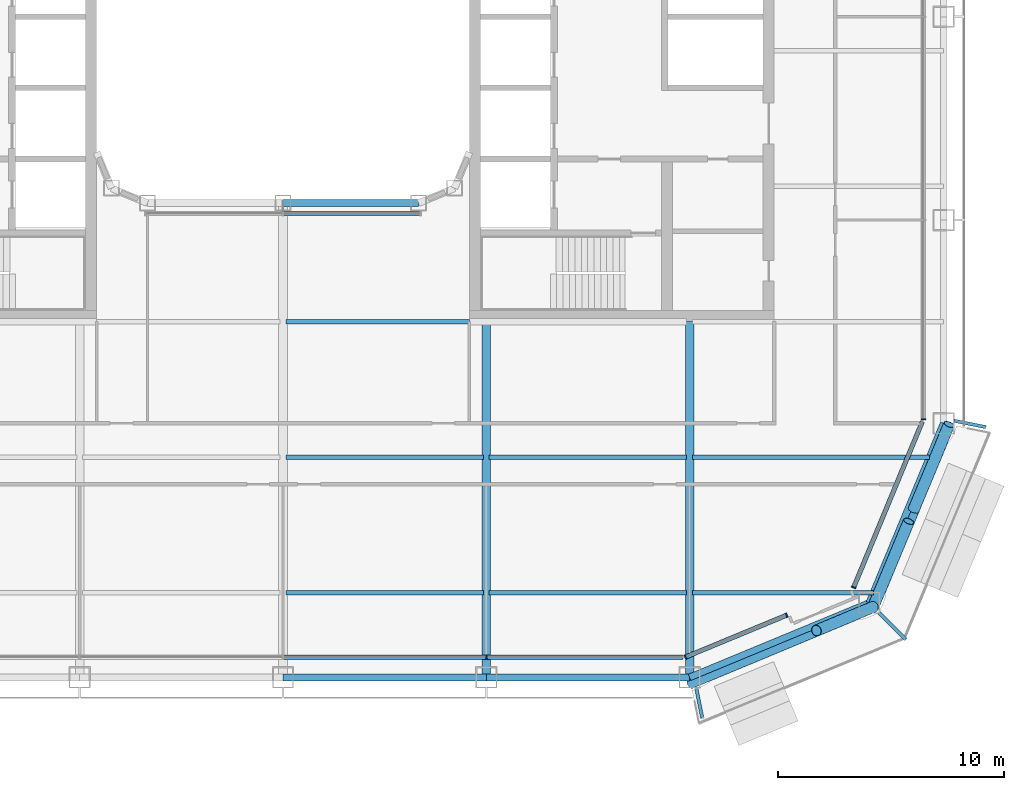
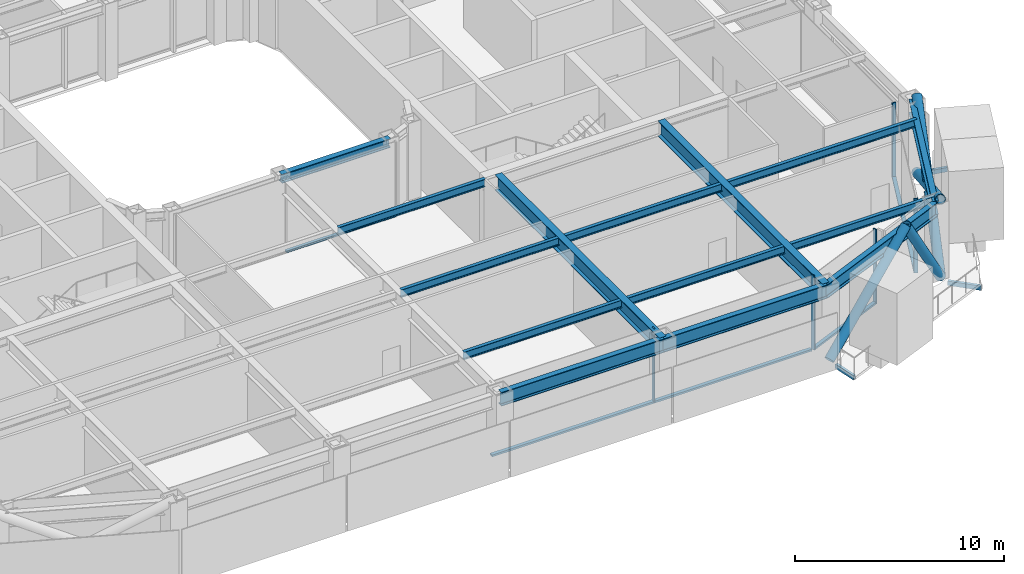
# One storey, part 4 of 23: 17 beams, 15 members, 5 elements without a shape of their own.
"""IFC4 building model written with IfcOpenShell, lengths in metres."""

from ifc_helpers import new_model, si_unit, direction, frame, origin, origin_2d, place, context, subcontext, project, spatial, rectangle, hollow_rectangle, hollow_circle, i_section, extrude, material, layer, layer_set, material_profile, profile_set, type_object, element, aggregate, save


model = new_model("IFC4")

# Units and contexts
model_context = context("Model", 3, precision=1e-05, world=origin(), true_north=direction((0.0, 1.0)))
body_context = subcontext(model_context, "Body", "Model", "MODEL_VIEW")
ifc_project = project(units=[si_unit("LENGTHUNIT", "METRE"), si_unit("AREAUNIT", "SQUARE_METRE"), si_unit("VOLUMEUNIT", "CUBIC_METRE"), si_unit("PLANEANGLEUNIT", "RADIAN"), si_unit("MASSUNIT", "GRAM", prefix="KILO")], contexts=[model_context])

# Site, building, storey
site_placement = place(None, origin())
site = spatial("IfcSite", under=ifc_project, at=site_placement, CompositionType="ELEMENT")
building_placement = place(site_placement, origin())
building = spatial("IfcBuilding", under=site, at=building_placement, Name="Siwar Civic Tower", CompositionType="ELEMENT")
storey_placement = place(building_placement, frame((0.0, 0.0, 127.199951171875)))
storey = spatial("IfcBuildingStorey", under=building, at=storey_placement, Name="L27", CompositionType="ELEMENT", Elevation=127.199951171875)

# Beams
ifc_material_1 = material(Name="Steel S355", Category="steel")
ifc_material_profile_1 = material_profile(ifc_material_1, hollow_rectangle(XDim=0.14990234375, YDim=0.25, WallThickness=0.010009765625, at=origin_2d()), Name="RHS250x150x10")
ifc_profile_set_1 = profile_set([ifc_material_profile_1], Name="Steel S355")
beam_type_1 = type_object("IfcBeamType", Name="ENV-BALCONY ARM", PredefinedType="BEAM", material=ifc_profile_set_1)
beam_1_placement = place(storey_placement, frame((18.30029296875, -29.73486328125, -0.27490234375), z_axis=(0.195189223115, -0.980765602568, 0.0), x_axis=(0.980765602568, 0.195189223115, 0.0)))
element("IfcBeam", 1, at=beam_1_placement, inside=storey, type_object=beam_type_1, Name="Balcony cantilever beam SE 1", PredefinedType="BEAM", context=body_context, shape_type="SweptSolid", body=[
    extrude(hollow_rectangle(XDim=0.14990234375, YDim=0.25, WallThickness=0.010009765625, at=origin_2d()), origin(), (0.0, 0.0, 1.0), 1.317138671875),
])
beam_2_placement = place(storey_placement, frame((26.39453125, -26.39453125, -0.27490234375), z_axis=(0.707106781187, -0.707106781187, 0.0), x_axis=(0.707106781187, 0.707106781187, 0.0)))
element("IfcBeam", 2, at=beam_2_placement, inside=storey, type_object=beam_type_1, Name="Balcony cantilever beam SE 2", PredefinedType="BEAM", context=body_context, shape_type="SweptSolid", body=[
    extrude(hollow_rectangle(XDim=0.14990234375, YDim=0.25, WallThickness=0.010009765625, at=origin_2d()), origin(), (0.0, 0.0, 1.0), 1.6513671875),
])
beam_3_placement = place(storey_placement, frame((29.72509765625, -17.890625, -0.27490234375), z_axis=(0.980780459814, -0.195114555191, 0.0), x_axis=(0.195114555191, 0.980780459814, 0.0)))
element("IfcBeam", 3, at=beam_3_placement, inside=storey, type_object=beam_type_1, Name="Balcony cantilever beam SE 3", PredefinedType="BEAM", context=body_context, shape_type="SweptSolid", body=[
    extrude(hollow_rectangle(XDim=0.14990234375, YDim=0.25, WallThickness=0.010009765625, at=origin_2d()), origin(), (0.0, 0.0, 1.0), 1.406494140625),
])

# Curtain wall, member
ifc_material_2 = material(Name="Aluminium and glass", Category="aluminium")
ifc_layer_1 = layer(ifc_material_2, 0.199951171875)
ifc_layer_set_1 = layer_set([ifc_layer_1], Name="Aluminium and glass")
curtain_wall_type_1 = type_object("IfcCurtainWallType", Name="ENV-CW-B", PredefinedType="NOTDEFINED", material=ifc_layer_set_1)
curtain_wall_1_placement = place(storey_placement, origin())
curtain_wall_1 = element("IfcCurtainWall", 4, at=curtain_wall_1_placement, inside=storey, type_object=curtain_wall_type_1, Name="Curtain wall B S", PredefinedType="NOTDEFINED")
ifc_material_3 = material(Name="Aluminium 6063-T6", Category="aluminium")
ifc_material_profile_2 = material_profile(ifc_material_3, rectangle(XDim=0.199951171875, YDim=0.06494140625, at=origin_2d()), Name="AL 200x65")
ifc_profile_set_2 = profile_set([ifc_material_profile_2], Name="Aluminium 6063-T6")
member_type_1 = type_object("IfcMemberType", Name="ENV-MULLION-B", PredefinedType="MULLION", material=ifc_profile_set_2)
member_1_placement = place(storey_placement, frame((9.0, -28.35009765625, 0.0), z_axis=(0.0, 0.0, 1.0), x_axis=(0.0, 1.0, 0.0)))
member_1 = element("IfcMember", 5, at=member_1_placement, type_object=member_type_1, Name="Mullion B S 4", PredefinedType="MULLION", context=body_context, shape_type="SweptSolid", body=[
    extrude(rectangle(XDim=0.199951171875, YDim=0.06494140625, at=origin_2d()), origin(), (0.0, 0.0, 1.0), 4.35009765625),
])

# Curtain wall, members
ifc_material_4 = material(Name="Aluminium clad insulated panel", Category="aluminium")
ifc_layer_2 = layer(ifc_material_4, 0.199951171875)
ifc_layer_set_2 = layer_set([ifc_layer_2], Name="Aluminium clad insulated panel")
curtain_wall_type_2 = type_object("IfcCurtainWallType", Name="ENV-CW-BX", PredefinedType="NOTDEFINED", material=ifc_layer_set_2)
curtain_wall_2_placement = place(storey_placement, origin())
curtain_wall_2 = element("IfcCurtainWall", 6, at=curtain_wall_2_placement, inside=storey, type_object=curtain_wall_type_2, Name="Curtain wall B SE1", PredefinedType="NOTDEFINED")
member_2_placement = place(storey_placement, frame((17.821044921875, -28.35009765625, 0.0), z_axis=(0.0, 0.0, 1.0), x_axis=(-0.382683432365, 0.923879532511, 0.0)))
member_2 = element("IfcMember", 7, at=member_2_placement, type_object=member_type_1, Name="Mullion B SE1 1", PredefinedType="MULLION", context=body_context, shape_type="SweptSolid", body=[
    extrude(rectangle(XDim=0.199951171875, YDim=0.06494140625, at=origin_2d()), origin(), (0.0, 0.0, 1.0), 4.35009765625),
])
member_3_placement = place(storey_placement, frame((22.299072265625, -26.4951171875, 0.0), z_axis=(0.0, 0.0, 1.0), x_axis=(-0.382683432365, 0.923879532511, 0.0)))
member_3 = element("IfcMember", 8, at=member_3_placement, type_object=member_type_1, Name="Mullion B SE1 2", PredefinedType="MULLION", context=body_context, shape_type="SweptSolid", body=[
    extrude(rectangle(XDim=0.199951171875, YDim=0.06494140625, at=origin_2d()), origin(), (0.0, 0.0, 1.0), 4.35009765625),
])

# Curtain wall, member
curtain_wall_3_placement = place(storey_placement, origin())
curtain_wall_3 = element("IfcCurtainWall", 9, at=curtain_wall_3_placement, inside=storey, type_object=curtain_wall_type_2, Name="Curtain wall B SE2", PredefinedType="NOTDEFINED")
member_4_placement = place(storey_placement, frame((25.26611328125, -25.26611328125, 0.0), z_axis=(0.0, 0.0, 1.0), x_axis=(-0.923879532511, 0.382683432365, 0.0)))
member_4 = element("IfcMember", 10, at=member_4_placement, type_object=member_type_1, Name="Mullion B SE2 1", PredefinedType="MULLION", context=body_context, shape_type="SweptSolid", body=[
    extrude(rectangle(XDim=0.199951171875, YDim=0.06494140625, at=origin_2d()), origin(), (0.0, 0.0, 1.0), 4.35009765625),
])

curtain_wall_4_placement = place(storey_placement, origin())
curtain_wall_4 = element("IfcCurtainWall", 11, at=curtain_wall_4_placement, inside=storey, type_object=curtain_wall_type_1, Name="Curtain wall B E", PredefinedType="NOTDEFINED")
member_5_placement = place(storey_placement, frame((28.35009765625, -17.821044921875, 0.0), z_axis=(0.0, 0.0, 1.0), x_axis=(-1.0, 0.0, 0.0)))
member_5 = element("IfcMember", 12, at=member_5_placement, type_object=member_type_1, Name="Mullion B E 1", PredefinedType="MULLION", context=body_context, shape_type="SweptSolid", body=[
    extrude(rectangle(XDim=0.199951171875, YDim=0.06494140625, at=origin_2d()), origin(), (0.0, 0.0, 1.0), 4.35009765625),
])
aggregate(curtain_wall_4, [member_5])

# Member
ifc_material_5 = material(Name="Aluminium 6063-T6", Category="aluminium")
ifc_material_profile_3 = material_profile(ifc_material_5, rectangle(XDim=0.199951171875, YDim=0.110107421875, at=origin_2d()), Name="AL 200x110")
ifc_profile_set_3 = profile_set([ifc_material_profile_3], Name="Aluminium 6063-T6")
member_type_2 = type_object("IfcMemberType", Name="ENV-TRANSOM-B", PredefinedType="USERDEFINED", material=ifc_profile_set_3)
member_6_placement = place(storey_placement, frame((0.032470703125, -28.35009765625, 0.054931640625), z_axis=(1.0, 0.0, 0.0), x_axis=(0.0, 1.0, 0.0)))
member_6 = element("IfcMember", 13, at=member_6_placement, type_object=member_type_2, Name="Transom B S 3", ObjectType="TRANSOM", PredefinedType="USERDEFINED", context=body_context, shape_type="SweptSolid", body=[
    extrude(rectangle(XDim=0.199951171875, YDim=0.110107421875, at=origin_2d()), origin(), (0.0, 0.0, 1.0), 8.93505859375),
])

member_7_placement = place(storey_placement, frame((9.032470703125, -28.35009765625, 0.054931640625), z_axis=(1.0, 0.0, 0.0), x_axis=(0.0, 1.0, 0.0)))
member_7 = element("IfcMember", 14, at=member_7_placement, type_object=member_type_2, Name="Transom B S 4", ObjectType="TRANSOM", PredefinedType="USERDEFINED", context=body_context, shape_type="SweptSolid", body=[
    extrude(rectangle(XDim=0.199951171875, YDim=0.110107421875, at=origin_2d()), origin(), (0.0, 0.0, 1.0), 8.6748046875),
])

aggregate(curtain_wall_1, [member_1, member_6, member_7])

member_8_placement = place(storey_placement, frame((17.85107421875, -28.337646484375, 0.054931640625), z_axis=(0.923872467912, 0.382700487371, 0.0), x_axis=(-0.382700487371, 0.923872467912, 0.0)))
member_8 = element("IfcMember", 15, at=member_8_placement, type_object=member_type_2, Name="Transom B SE1 1", ObjectType="TRANSOM", PredefinedType="USERDEFINED", context=body_context, shape_type="SweptSolid", body=[
    extrude(rectangle(XDim=0.199951171875, YDim=0.110107421875, at=origin_2d()), origin(), (0.0, 0.0, 1.0), 4.781982421875),
])

aggregate(curtain_wall_2, [member_2, member_3, member_8])

member_9_placement = place(storey_placement, frame((25.278564453125, -25.236083984375, 0.054931640625), z_axis=(0.382673358825, 0.923883705044, 0.0), x_axis=(-0.923883705044, 0.382673358825, 0.0)))
member_9 = element("IfcMember", 16, at=member_9_placement, type_object=member_type_2, Name="Transom B SE2 1", ObjectType="TRANSOM", PredefinedType="USERDEFINED", context=body_context, shape_type="SweptSolid", body=[
    extrude(rectangle(XDim=0.199951171875, YDim=0.110107421875, at=origin_2d()), origin(), (0.0, 0.0, 1.0), 7.912353515625),
])

aggregate(curtain_wall_3, [member_4, member_9])

# Curtain wall, member
ifc_material_6 = material(Name="Aluminium and glass", Category="aluminium")
ifc_layer_3 = layer(ifc_material_6, 0.179931640625)
ifc_layer_set_3 = layer_set([ifc_layer_3], Name="Aluminium and glass")
curtain_wall_type_3 = type_object("IfcCurtainWallType", Name="ENV-CW-W", PredefinedType="NOTDEFINED", material=ifc_layer_set_3)
curtain_wall_5_placement = place(storey_placement, origin())
curtain_wall_5 = element("IfcCurtainWall", 17, at=curtain_wall_5_placement, inside=storey, type_object=curtain_wall_type_3, Name="Curtain wall W WS", PredefinedType="NOTDEFINED")
ifc_material_7 = material(Name="Aluminium 6063-T6", Category="aluminium")
ifc_material_profile_4 = material_profile(ifc_material_7, rectangle(XDim=0.179931640625, YDim=0.10009765625, at=origin_2d()), Name="AL 180x100")
ifc_profile_set_4 = profile_set([ifc_material_profile_4], Name="Aluminium 6063-T6")
member_type_3 = type_object("IfcMemberType", Name="ENV-TRANSOM-W", PredefinedType="USERDEFINED", material=ifc_profile_set_4)
member_10_placement = place(storey_placement, frame((0.030029296875, -8.7099609375, 0.050048828125), z_axis=(1.0, 0.0, 0.0), x_axis=(0.0, 1.0, 0.0)))
member_10 = element("IfcMember", 18, at=member_10_placement, type_object=member_type_3, Name="Transom W WS 2", ObjectType="TRANSOM", PredefinedType="USERDEFINED", context=body_context, shape_type="SweptSolid", body=[
    extrude(rectangle(XDim=0.179931640625, YDim=0.10009765625, at=origin_2d()), origin(), (0.0, 0.0, 1.0), 6.031494140625),
])
aggregate(curtain_wall_5, [member_10])

# Members
ifc_material_8 = material(Name="Steel S355", Category="steel")
ifc_material_profile_5 = material_profile(ifc_material_8, hollow_circle(Radius=0.25390625, WallThickness=0.02490234375, at=origin_2d()), Name="CHS508x25")
ifc_profile_set_5 = profile_set([ifc_material_profile_5], Name="Steel S355")
member_type_4 = type_object("IfcMemberType", Name="STR-BR-CHS508x25", PredefinedType="BRACE", material=ifc_profile_set_5)
member_11_placement = place(storey_placement, frame((29.4951171875, -18.048828125, 0.0), z_axis=(-0.341671493852, -0.821142553604, 0.457149315816), x_axis=(0.923264922524, -0.384163874976, 0.0)))
element("IfcMember", 19, at=member_11_placement, inside=storey, type_object=member_type_4, Name="L27/brc/BSE1-6-0-1", PredefinedType="BRACE", context=body_context, shape_type="SweptSolid", body=[
    extrude(hollow_circle(Radius=0.25390625, WallThickness=0.02490234375, at=origin_2d()), origin(), (0.0, 0.0, 1.0), 9.843505859375),
])
member_12_placement = place(storey_placement, frame((26.1318359375, -26.1318359375, 0.0), z_axis=(0.341662474736, 0.821143275065, 0.457154760636), x_axis=(-0.923268638995, 0.384154943021, 0.0)))
element("IfcMember", 20, at=member_12_placement, inside=storey, type_object=member_type_4, Name="L27/brc/BSE1-6-0-2", PredefinedType="BRACE", context=body_context, shape_type="SweptSolid", body=[
    extrude(hollow_circle(Radius=0.25390625, WallThickness=0.02490234375, at=origin_2d()), origin(), (0.0, 0.0, 1.0), 4.61474609375),
])
member_13_placement = place(storey_placement, frame((27.91845703125, -21.837890625, 2.390625), z_axis=(0.34168558233, 0.821145902409, 0.457132770413), x_axis=(-0.923259859753, 0.384176042158, 0.0)))
element("IfcMember", 21, at=member_13_placement, inside=storey, type_object=member_type_4, Name="L27/brc/BSE1-6-0-3", PredefinedType="BRACE", context=body_context, shape_type="SweptSolid", body=[
    extrude(hollow_circle(Radius=0.25390625, WallThickness=0.02490234375, at=origin_2d()), origin(), (0.0, 0.0, 1.0), 4.6142578125),
])
member_14_placement = place(storey_placement, frame((18.048828125, -29.4951171875, 0.0), z_axis=(0.739973158344, 0.307903068035, 0.598026275029), x_axis=(-0.384169803352, 0.923262455747, 0.0)))
element("IfcMember", 22, at=member_14_placement, inside=storey, type_object=member_type_4, Name="L27/brc/BSE1-6-0-0", PredefinedType="BRACE", context=body_context, shape_type="SweptSolid", body=[
    extrude(hollow_circle(Radius=0.25390625, WallThickness=0.02490234375, at=origin_2d()), origin(), (0.0, 0.0, 1.0), 7.524658203125),
])
member_15_placement = place(storey_placement, frame((26.1318359375, -26.1318359375, 0.0), z_axis=(-0.478099094869, -0.198925611165, 0.855482236349), x_axis=(0.384150749045, -0.92327038402, 0.0)))
element("IfcMember", 23, at=member_15_placement, inside=storey, type_object=member_type_4, Name="L27/brc/BSE1-6-0-6", PredefinedType="BRACE", context=body_context, shape_type="SweptSolid", body=[
    extrude(hollow_circle(Radius=0.25390625, WallThickness=0.02490234375, at=origin_2d()), origin(), (0.0, 0.0, 1.0), 5.26025390625),
])

# Beams
ifc_material_9 = material(Name="Steel S355", Category="steel")
ifc_material_profile_6 = material_profile(ifc_material_9, i_section(OverallWidth=0.18994140625, OverallDepth=0.449951171875, WebThickness=0.009521484375, FlangeThickness=0.0146484375, FilletRadius=0.02099609375, at=origin_2d()), Name="IPE450")
ifc_profile_set_6 = profile_set([ifc_material_profile_6], Name="Steel S355")
beam_type_2 = type_object("IfcBeamType", Name="STR-FB-IPE450", PredefinedType="JOIST", material=ifc_profile_set_6)
for number, where, z_axis, x_axis, name in (
    (24, (0.1298828125, -25.5, 4.125), (1.0, 0.0, 0.0), (0.0, 1.0, 0.0), "L27/bm/F004"),
    (25, (9.1298828125, -25.5, 4.125), (1.0, 0.0, 0.0), (0.0, 1.0, 0.0), "L27/bm/F005"),
):
    element("IfcBeam", number, at=place(storey_placement, frame(where, z_axis=z_axis, x_axis=x_axis)), inside=storey, type_object=beam_type_2, Name=name, PredefinedType="JOIST", context=body_context, shape_type="SweptSolid", body=[
        extrude(i_section(OverallWidth=0.18994140625, OverallDepth=0.449951171875, WebThickness=0.009521484375, FlangeThickness=0.0146484375, FilletRadius=0.02099609375, at=origin_2d()), origin(), (0.0, 0.0, 1.0), 8.740234375),
    ])
beam_4_placement = place(storey_placement, frame((18.1298828125, -25.5, 4.125), z_axis=(1.0, 0.0, 0.0), x_axis=(0.0, 1.0, 0.0)))
element("IfcBeam", 26, at=beam_4_placement, inside=storey, type_object=beam_type_2, Name="L27/bm/F006", PredefinedType="JOIST", context=body_context, shape_type="SweptSolid", body=[
    extrude(i_section(OverallWidth=0.18994140625, OverallDepth=0.449951171875, WebThickness=0.009521484375, FlangeThickness=0.0146484375, FilletRadius=0.02099609375, at=origin_2d()), origin(), (0.0, 0.0, 1.0), 8.013427734375),
])
for number, where, z_axis, x_axis, name in (
    (27, (0.1298828125, -19.5, 4.125), (1.0, 0.0, 0.0), (0.0, 1.0, 0.0), "L27/bm/F010"),
    (28, (9.1298828125, -19.5, 4.125), (1.0, 0.0, 0.0), (0.0, 1.0, 0.0), "L27/bm/F011"),
):
    element("IfcBeam", number, at=place(storey_placement, frame(where, z_axis=z_axis, x_axis=x_axis)), inside=storey, type_object=beam_type_2, Name=name, PredefinedType="JOIST", context=body_context, shape_type="SweptSolid", body=[
        extrude(i_section(OverallWidth=0.18994140625, OverallDepth=0.449951171875, WebThickness=0.009521484375, FlangeThickness=0.0146484375, FilletRadius=0.02099609375, at=origin_2d()), origin(), (0.0, 0.0, 1.0), 8.740234375),
    ])
beam_5_placement = place(storey_placement, frame((18.1298828125, -19.5, 4.125), z_axis=(1.0, 0.0, 0.0), x_axis=(0.0, 1.0, 0.0)))
element("IfcBeam", 29, at=beam_5_placement, inside=storey, type_object=beam_type_2, Name="L27/bm/F012", PredefinedType="JOIST", context=body_context, shape_type="SweptSolid", body=[
    extrude(i_section(OverallWidth=0.18994140625, OverallDepth=0.449951171875, WebThickness=0.009521484375, FlangeThickness=0.0146484375, FilletRadius=0.02099609375, at=origin_2d()), origin(), (0.0, 0.0, 1.0), 10.498779296875),
])
beam_6_placement = place(storey_placement, frame((0.1298828125, -13.5, 4.125), z_axis=(1.0, 0.0, 0.0), x_axis=(0.0, 1.0, 0.0)))
element("IfcBeam", 30, at=beam_6_placement, inside=storey, type_object=beam_type_2, Name="L27/bm/F017", PredefinedType="JOIST", context=body_context, shape_type="SweptSolid", body=[
    extrude(i_section(OverallWidth=0.18994140625, OverallDepth=0.449951171875, WebThickness=0.009521484375, FlangeThickness=0.0146484375, FilletRadius=0.02099609375, at=origin_2d()), origin(), (0.0, 0.0, 1.0), 8.1201171875),
])
ifc_material_10 = material(Name="Steel S355", Category="steel")
ifc_material_profile_7 = material_profile(ifc_material_10, i_section(OverallWidth=0.3798828125, OverallDepth=0.89990234375, WebThickness=0.01611328125, FlangeThickness=0.035888671875, at=origin_2d()), Name="PG900x380x16x36")
ifc_profile_set_7 = profile_set([ifc_material_profile_7], Name="Steel S355")
beam_type_3 = type_object("IfcBeamType", Name="STR-PG-PG900x380x16x36", PredefinedType="BEAM", material=ifc_profile_set_7)
for number, where, z_axis, x_axis, name in (
    (31, (9.0, -29.25, 3.900146484375), (0.0, 1.0, 0.0), (-1.0, 0.0, 0.0), "L27/bm/G07"),
    (32, (18.0, -29.25, 3.900146484375), (0.0, 1.0, 0.0), (-1.0, 0.0, 0.0), "L27/bm/G09"),
):
    element("IfcBeam", number, at=place(storey_placement, frame(where, z_axis=z_axis, x_axis=x_axis)), inside=storey, type_object=beam_type_3, Name=name, PredefinedType="BEAM", context=body_context, shape_type="SweptSolid", body=[
        extrude(i_section(OverallWidth=0.3798828125, OverallDepth=0.89990234375, WebThickness=0.01611328125, FlangeThickness=0.035888671875, at=origin_2d()), origin(), (0.0, 0.0, 1.0), 15.75),
    ])
ifc_material_11 = material(Name="Steel S355", Category="steel")
ifc_material_profile_8 = material_profile(ifc_material_11, i_section(OverallWidth=0.305908203125, OverallDepth=0.52392578125, WebThickness=0.02099609375, FlangeThickness=0.0400390625, FilletRadius=0.027099609375, at=origin_2d()), Name="HEM500")
ifc_profile_set_8 = profile_set([ifc_material_profile_8], Name="Steel S355")
beam_type_4 = type_object("IfcBeamType", Name="STR-RB-HEM500", PredefinedType="BEAM", material=ifc_profile_set_8)
beam_7_placement = place(storey_placement, frame((0.0, -8.25, 4.088134765625), z_axis=(1.0, 0.0, 0.0), x_axis=(0.0, 1.0, 0.0)))
element("IfcBeam", 33, at=beam_7_placement, inside=storey, type_object=beam_type_4, Name="L27/bm/RS2", PredefinedType="BEAM", context=body_context, shape_type="SweptSolid", body=[
    extrude(i_section(OverallWidth=0.305908203125, OverallDepth=0.52392578125, WebThickness=0.02099609375, FlangeThickness=0.0400390625, FilletRadius=0.027099609375, at=origin_2d()), origin(), (0.0, 0.0, 1.0), 6.0),
])
ifc_material_12 = material(Name="Steel S355", Category="steel")
ifc_material_profile_9 = material_profile(ifc_material_12, i_section(OverallWidth=0.300048828125, OverallDepth=0.800048828125, WebThickness=0.017578125, FlangeThickness=0.032958984375, FilletRadius=0.030029296875, at=origin_2d()), Name="HEB800")
ifc_profile_set_9 = profile_set([ifc_material_profile_9], Name="Steel S355")
beam_type_5 = type_object("IfcBeamType", Name="STR-SB-HEB800", PredefinedType="BEAM", material=ifc_profile_set_9)
for number, where, z_axis, x_axis, name in (
    (34, (0.0, -29.25, 3.949951171875), (1.0, 0.0, 0.0), (0.0, 1.0, 0.0), "L27/bm/SS-2"),
    (35, (9.0, -29.25, 3.949951171875), (1.0, 0.0, 0.0), (0.0, 1.0, 0.0), "L27/bm/SS-3"),
):
    element("IfcBeam", number, at=place(storey_placement, frame(where, z_axis=z_axis, x_axis=x_axis)), inside=storey, type_object=beam_type_5, Name=name, PredefinedType="BEAM", context=body_context, shape_type="SweptSolid", body=[
        extrude(i_section(OverallWidth=0.300048828125, OverallDepth=0.800048828125, WebThickness=0.017578125, FlangeThickness=0.032958984375, FilletRadius=0.030029296875, at=origin_2d()), origin(), (0.0, 0.0, 1.0), 9.0),
    ])
for number, where, z_axis, x_axis, name in (
    (36, (18.0, -29.25, 3.949951171875), (0.923872720536, 0.382699877515, 0.0), (-0.382699877515, 0.923872720536, 0.0), "L27/bm/SSE1-0"),
    (37, (25.954833984375, -25.954833984375, 3.949951171875), (0.382699877515, 0.923872720536, 0.0), (-0.923872720536, 0.382699877515, 0.0), "L27/bm/SSE2-0"),
):
    element("IfcBeam", number, at=place(storey_placement, frame(where, z_axis=z_axis, x_axis=x_axis)), inside=storey, type_object=beam_type_5, Name=name, PredefinedType="BEAM", context=body_context, shape_type="SweptSolid", body=[
        extrude(i_section(OverallWidth=0.300048828125, OverallDepth=0.800048828125, WebThickness=0.017578125, FlangeThickness=0.032958984375, FilletRadius=0.030029296875, at=origin_2d()), origin(), (0.0, 0.0, 1.0), 8.6103515625),
    ])

save(model, "model.ifc")
